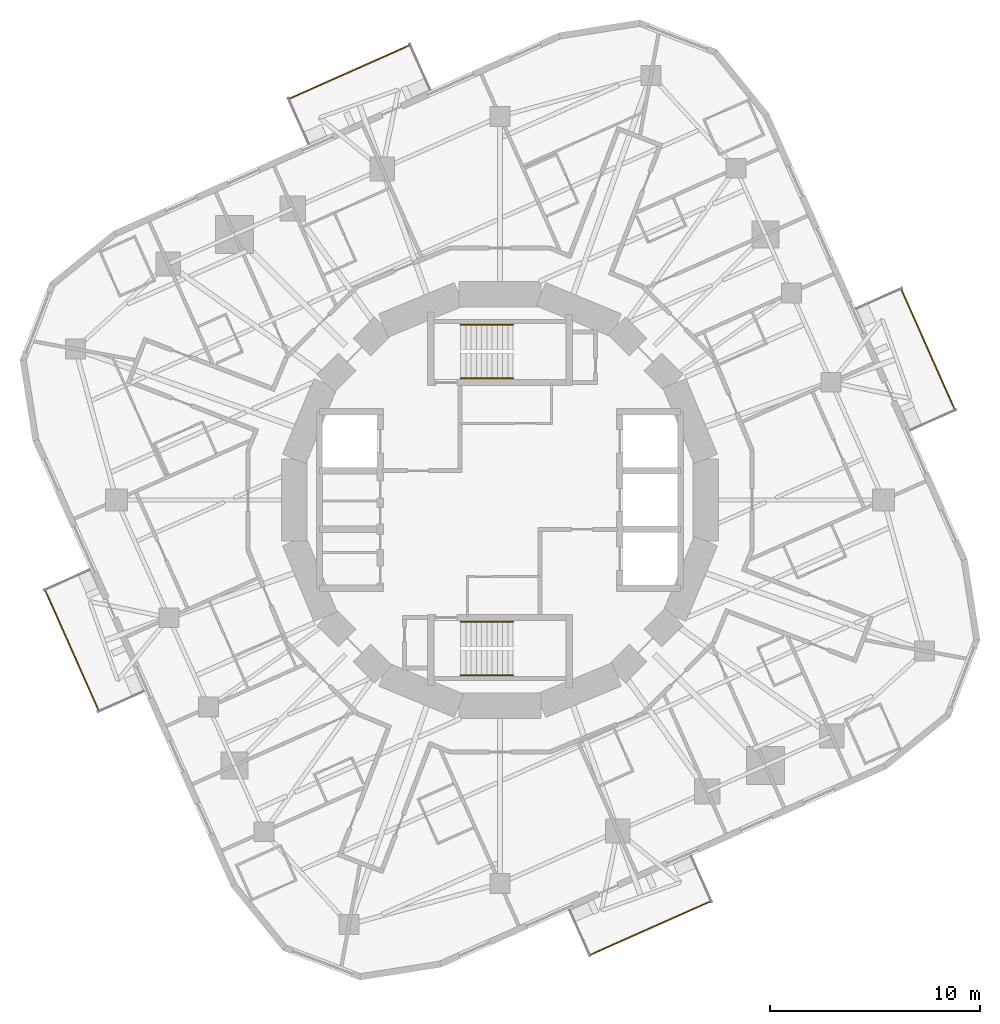
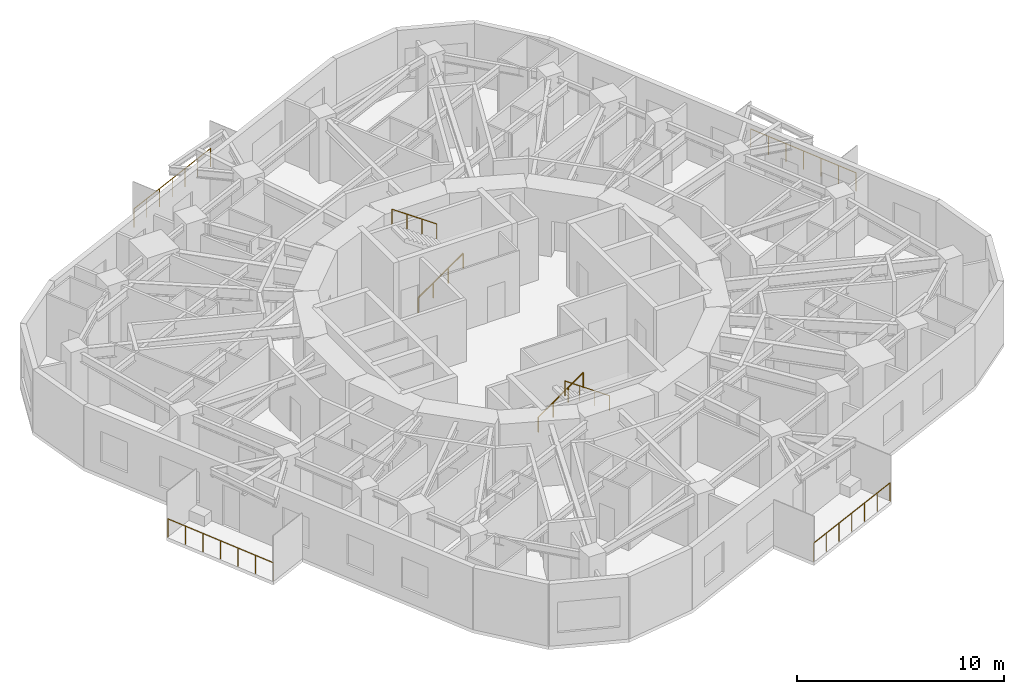
# One storey, part 11 of 12: 8 railings.
"""IFC4 building model written with IfcOpenShell, lengths in metres."""

from ifc_helpers import new_model, si_unit, direction, frame, origin, origin_2d, place, context, subcontext, project, spatial, circle, extrude, material, type_object, element, save


model = new_model("IFC4")

# Units and contexts
model_context = context("Model", 3, precision=1e-05, world=origin(), true_north=direction((0.0, 1.0)))
body_context = subcontext(model_context, "Body", "Model", "MODEL_VIEW")
ifc_project = project(units=[si_unit("LENGTHUNIT", "METRE"), si_unit("AREAUNIT", "SQUARE_METRE"), si_unit("VOLUMEUNIT", "CUBIC_METRE"), si_unit("PLANEANGLEUNIT", "RADIAN"), si_unit("MASSUNIT", "GRAM", prefix="KILO")], contexts=[model_context])

# Site, building, storey
site_placement = place(None, origin())
site = spatial("IfcSite", under=ifc_project, at=site_placement, CompositionType="ELEMENT")
building_placement = place(site_placement, origin())
building = spatial("IfcBuilding", under=site, at=building_placement, Name="Nakasero Lantern House", CompositionType="ELEMENT")
storey_placement = place(building_placement, frame((0.0, 0.0, 209.39990234375)))
storey = spatial("IfcBuildingStorey", under=building, at=storey_placement, Name="L51", CompositionType="ELEMENT", Elevation=209.39990234375)

# Railings
ifc_material_1 = material(Name="Aluminium 6063-T6", Category="aluminium")
railing_type_1 = type_object("IfcRailingType", Name="Balcony guard 1100", PredefinedType="BALUSTRADE", material=ifc_material_1)
railing_1_placement = place(storey_placement, frame((21.67529296875, 4.29931640625, 0.0)))
element("IfcRailing", 1, at=railing_1_placement, inside=storey, type_object=railing_type_1, Name="Balcony guard L51 BAL0", PredefinedType="BALUSTRADE", context=body_context, shape_type="SweptSolid", body=[
    extrude(circle(Radius=0.02392578125, at=origin_2d()), frame((0.0, 0.0, 1.076171875), z_axis=(-0.40676486805, 0.913532890552, 0.0), x_axis=(-0.913532890552, -0.40676486805, 0.0)), (0.0, 0.0, 1.0), 6.291259765625),
    extrude(circle(Radius=0.02099609375, at=origin_2d()), origin(), (0.0, 0.0, 1.0), 1.052001953125),
    extrude(circle(Radius=0.02099609375, at=origin_2d()), frame((-0.426513671875, 0.9580078125, 0.0)), (0.0, 0.0, 1.0), 1.052001953125),
    extrude(circle(Radius=0.02099609375, at=origin_2d()), frame((-0.85302734375, 1.915771484375, 0.0)), (0.0, 0.0, 1.0), 1.052001953125),
    extrude(circle(Radius=0.02099609375, at=origin_2d()), frame((-1.279541015625, 2.87353515625, 0.0)), (0.0, 0.0, 1.0), 1.052001953125),
    extrude(circle(Radius=0.02099609375, at=origin_2d()), frame((-1.7060546875, 3.83154296875, 0.0)), (0.0, 0.0, 1.0), 1.052001953125),
    extrude(circle(Radius=0.02099609375, at=origin_2d()), frame((-2.132568359375, 4.78955078125, 0.0)), (0.0, 0.0, 1.0), 1.052001953125),
    extrude(circle(Radius=0.02099609375, at=origin_2d()), frame((-2.55908203125, 5.747314453125, 0.0)), (0.0, 0.0, 1.0), 1.052001953125),
])
railing_2_placement = place(storey_placement, frame((-4.29931640625, 21.67529296875, 0.0)))
element("IfcRailing", 2, at=railing_2_placement, inside=storey, type_object=railing_type_1, Name="Balcony guard L51 BAL1", PredefinedType="BALUSTRADE", context=body_context, shape_type="SweptSolid", body=[
    extrude(circle(Radius=0.02392578125, at=origin_2d()), frame((0.0, 0.0, 1.076171875), z_axis=(-0.913532890552, -0.40676486805, 0.0), x_axis=(0.40676486805, -0.913532890552, 0.0)), (0.0, 0.0, 1.0), 6.291259765625),
    extrude(circle(Radius=0.02099609375, at=origin_2d()), origin(), (0.0, 0.0, 1.0), 1.052001953125),
    extrude(circle(Radius=0.02099609375, at=origin_2d()), frame((-0.9580078125, -0.426513671875, 0.0)), (0.0, 0.0, 1.0), 1.052001953125),
    extrude(circle(Radius=0.02099609375, at=origin_2d()), frame((-1.915771484375, -0.85302734375, 0.0)), (0.0, 0.0, 1.0), 1.052001953125),
    extrude(circle(Radius=0.02099609375, at=origin_2d()), frame((-2.87353515625, -1.279541015625, 0.0)), (0.0, 0.0, 1.0), 1.052001953125),
    extrude(circle(Radius=0.02099609375, at=origin_2d()), frame((-3.83154296875, -1.7060546875, 0.0)), (0.0, 0.0, 1.0), 1.052001953125),
    extrude(circle(Radius=0.02099609375, at=origin_2d()), frame((-4.78955078125, -2.132568359375, 0.0)), (0.0, 0.0, 1.0), 1.052001953125),
    extrude(circle(Radius=0.02099609375, at=origin_2d()), frame((-5.747314453125, -2.55908203125, 0.0)), (0.0, 0.0, 1.0), 1.052001953125),
])
railing_3_placement = place(storey_placement, frame((-21.67529296875, -4.29931640625, 0.0)))
element("IfcRailing", 3, at=railing_3_placement, inside=storey, type_object=railing_type_1, Name="Balcony guard L51 BAL2", PredefinedType="BALUSTRADE", context=body_context, shape_type="SweptSolid", body=[
    extrude(circle(Radius=0.02392578125, at=origin_2d()), frame((0.0, 0.0, 1.076171875), z_axis=(0.40676486805, -0.913532890552, 0.0), x_axis=(0.913532890552, 0.40676486805, 0.0)), (0.0, 0.0, 1.0), 6.291259765625),
    extrude(circle(Radius=0.02099609375, at=origin_2d()), origin(), (0.0, 0.0, 1.0), 1.052001953125),
    extrude(circle(Radius=0.02099609375, at=origin_2d()), frame((0.426513671875, -0.9580078125, 0.0)), (0.0, 0.0, 1.0), 1.052001953125),
    extrude(circle(Radius=0.02099609375, at=origin_2d()), frame((0.85302734375, -1.915771484375, 0.0)), (0.0, 0.0, 1.0), 1.052001953125),
    extrude(circle(Radius=0.02099609375, at=origin_2d()), frame((1.279541015625, -2.87353515625, 0.0)), (0.0, 0.0, 1.0), 1.052001953125),
    extrude(circle(Radius=0.02099609375, at=origin_2d()), frame((1.7060546875, -3.83154296875, 0.0)), (0.0, 0.0, 1.0), 1.052001953125),
    extrude(circle(Radius=0.02099609375, at=origin_2d()), frame((2.132568359375, -4.78955078125, 0.0)), (0.0, 0.0, 1.0), 1.052001953125),
    extrude(circle(Radius=0.02099609375, at=origin_2d()), frame((2.55908203125, -5.747314453125, 0.0)), (0.0, 0.0, 1.0), 1.052001953125),
])
railing_4_placement = place(storey_placement, frame((4.29931640625, -21.67529296875, 0.0)))
element("IfcRailing", 4, at=railing_4_placement, inside=storey, type_object=railing_type_1, Name="Balcony guard L51 BAL3", PredefinedType="BALUSTRADE", context=body_context, shape_type="SweptSolid", body=[
    extrude(circle(Radius=0.02392578125, at=origin_2d()), frame((0.0, 0.0, 1.076171875), z_axis=(0.913532890552, 0.40676486805, 0.0), x_axis=(-0.40676486805, 0.913532890552, 0.0)), (0.0, 0.0, 1.0), 6.291259765625),
    extrude(circle(Radius=0.02099609375, at=origin_2d()), origin(), (0.0, 0.0, 1.0), 1.052001953125),
    extrude(circle(Radius=0.02099609375, at=origin_2d()), frame((0.9580078125, 0.426513671875, 0.0)), (0.0, 0.0, 1.0), 1.052001953125),
    extrude(circle(Radius=0.02099609375, at=origin_2d()), frame((1.915771484375, 0.85302734375, 0.0)), (0.0, 0.0, 1.0), 1.052001953125),
    extrude(circle(Radius=0.02099609375, at=origin_2d()), frame((2.87353515625, 1.279541015625, 0.0)), (0.0, 0.0, 1.0), 1.052001953125),
    extrude(circle(Radius=0.02099609375, at=origin_2d()), frame((3.83154296875, 1.7060546875, 0.0)), (0.0, 0.0, 1.0), 1.052001953125),
    extrude(circle(Radius=0.02099609375, at=origin_2d()), frame((4.78955078125, 2.132568359375, 0.0)), (0.0, 0.0, 1.0), 1.052001953125),
    extrude(circle(Radius=0.02099609375, at=origin_2d()), frame((5.747314453125, 2.55908203125, 0.0)), (0.0, 0.0, 1.0), 1.052001953125),
])
ifc_material_2 = material(Name="Stainless steel 316", Category="steel")
railing_type_2 = type_object("IfcRailingType", Name="Stair handrail 900", PredefinedType="HANDRAIL", material=ifc_material_2)
railing_5_placement = place(storey_placement, frame((-1.875, 5.800048828125, 0.175048828125)))
element("IfcRailing", 5, at=railing_5_placement, inside=storey, type_object=railing_type_2, Name="Handrail ST1 L51 flight 1", PredefinedType="HANDRAIL", context=body_context, shape_type="SweptSolid", body=[
    extrude(circle(Radius=0.02392578125, at=origin_2d()), frame((0.0, 0.0, 0.8759765625), z_axis=(0.819231920519, 0.0, 0.573462344363), x_axis=(0.0, 1.0, 0.0)), (0.0, 0.0, 1.0), 3.0517578125),
    extrude(circle(Radius=0.02099609375, at=origin_2d()), origin(), (0.0, 0.0, 1.0), 0.851806640625),
    extrude(circle(Radius=0.02099609375, at=origin_2d()), frame((0.833251953125, 0.0, 0.583251953125)), (0.0, 0.0, 1.0), 0.851806640625),
    extrude(circle(Radius=0.02099609375, at=origin_2d()), frame((1.666748046875, 0.0, 1.166748046875)), (0.0, 0.0, 1.0), 0.851806640625),
    extrude(circle(Radius=0.02099609375, at=origin_2d()), frame((2.5, 0.0, 1.75)), (0.0, 0.0, 1.0), 0.851806640625),
])
railing_6_placement = place(storey_placement, frame((0.625, 8.35009765625, 2.10009765625)))
element("IfcRailing", 6, at=railing_6_placement, inside=storey, type_object=railing_type_2, Name="Handrail ST1 L51 flight 2", PredefinedType="HANDRAIL", context=body_context, shape_type="SweptSolid", body=[
    extrude(circle(Radius=0.02392578125, at=origin_2d()), frame((0.0, 0.0, 0.8759765625), z_axis=(-0.819231920519, 0.0, 0.573462344363), x_axis=(0.0, -1.0, 0.0)), (0.0, 0.0, 1.0), 3.0517578125),
    extrude(circle(Radius=0.02099609375, at=origin_2d()), origin(), (0.0, 0.0, 1.0), 0.851806640625),
    extrude(circle(Radius=0.02099609375, at=origin_2d()), frame((-0.833251953125, 0.0, 0.583251953125)), (0.0, 0.0, 1.0), 0.851806640625),
    extrude(circle(Radius=0.02099609375, at=origin_2d()), frame((-1.666748046875, 0.0, 1.166748046875)), (0.0, 0.0, 1.0), 0.851806640625),
    extrude(circle(Radius=0.02099609375, at=origin_2d()), frame((-2.5, 0.0, 1.75)), (0.0, 0.0, 1.0), 0.851806640625),
])
railing_7_placement = place(storey_placement, frame((-1.875, -5.800048828125, 0.175048828125)))
element("IfcRailing", 7, at=railing_7_placement, inside=storey, type_object=railing_type_2, Name="Handrail ST2 L51 flight 1", PredefinedType="HANDRAIL", context=body_context, shape_type="SweptSolid", body=[
    extrude(circle(Radius=0.02392578125, at=origin_2d()), frame((0.0, 0.0, 0.8759765625), z_axis=(0.819231920519, 0.0, 0.573462344363), x_axis=(0.0, 1.0, 0.0)), (0.0, 0.0, 1.0), 3.0517578125),
    extrude(circle(Radius=0.02099609375, at=origin_2d()), origin(), (0.0, 0.0, 1.0), 0.851806640625),
    extrude(circle(Radius=0.02099609375, at=origin_2d()), frame((0.833251953125, 0.0, 0.583251953125)), (0.0, 0.0, 1.0), 0.851806640625),
    extrude(circle(Radius=0.02099609375, at=origin_2d()), frame((1.666748046875, 0.0, 1.166748046875)), (0.0, 0.0, 1.0), 0.851806640625),
    extrude(circle(Radius=0.02099609375, at=origin_2d()), frame((2.5, 0.0, 1.75)), (0.0, 0.0, 1.0), 0.851806640625),
])
railing_8_placement = place(storey_placement, frame((0.625, -8.35009765625, 2.10009765625)))
element("IfcRailing", 8, at=railing_8_placement, inside=storey, type_object=railing_type_2, Name="Handrail ST2 L51 flight 2", PredefinedType="HANDRAIL", context=body_context, shape_type="SweptSolid", body=[
    extrude(circle(Radius=0.02392578125, at=origin_2d()), frame((0.0, 0.0, 0.8759765625), z_axis=(-0.819231920519, 0.0, 0.573462344363), x_axis=(0.0, -1.0, 0.0)), (0.0, 0.0, 1.0), 3.0517578125),
    extrude(circle(Radius=0.02099609375, at=origin_2d()), origin(), (0.0, 0.0, 1.0), 0.851806640625),
    extrude(circle(Radius=0.02099609375, at=origin_2d()), frame((-0.833251953125, 0.0, 0.583251953125)), (0.0, 0.0, 1.0), 0.851806640625),
    extrude(circle(Radius=0.02099609375, at=origin_2d()), frame((-1.666748046875, 0.0, 1.166748046875)), (0.0, 0.0, 1.0), 0.851806640625),
    extrude(circle(Radius=0.02099609375, at=origin_2d()), frame((-2.5, 0.0, 1.75)), (0.0, 0.0, 1.0), 0.851806640625),
])

save(model, "model.ifc")
